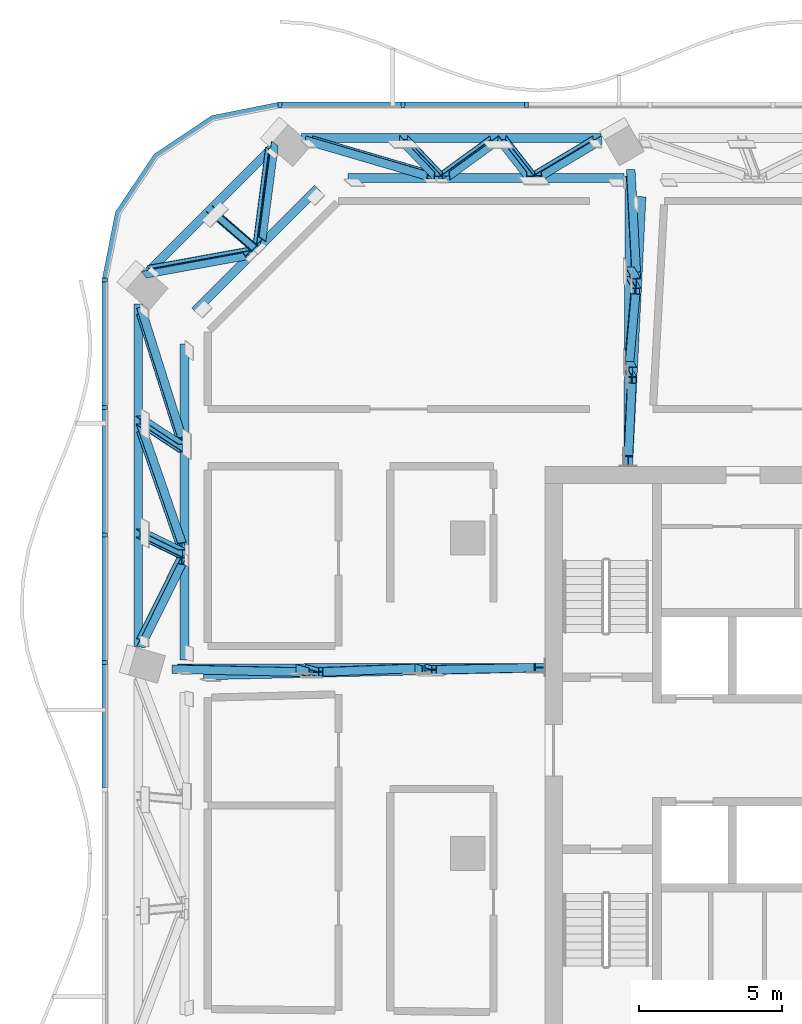
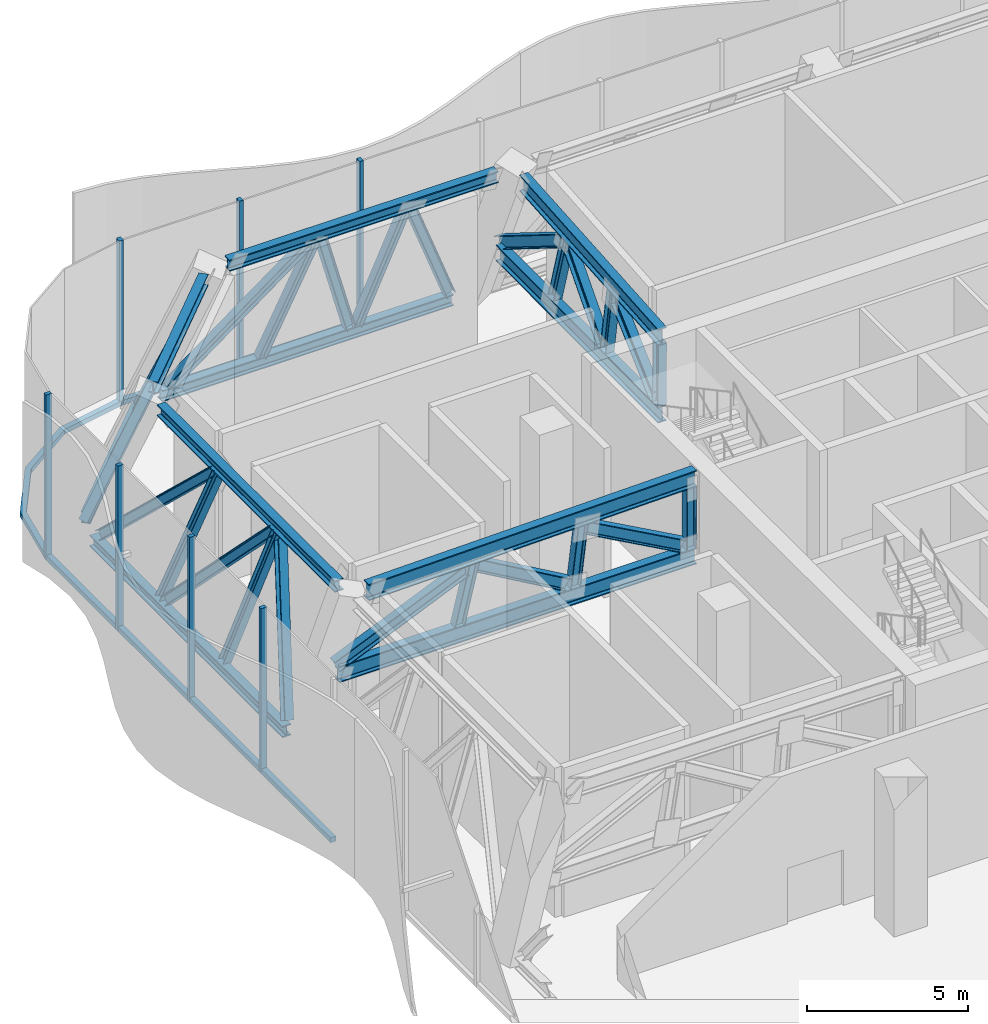
# One storey, part 6 of 29: 49 members, 3 elements without a shape of their own.
"""IFC4 building model written with IfcOpenShell, lengths in metres."""

from ifc_helpers import new_model, si_unit, direction, frame, origin, origin_2d, place, context, subcontext, project, spatial, polyline, rectangle, i_section, outline, extrude, material, material_profile, profile_set, type_object, element, aggregate, save


model = new_model("IFC4")

# Units and contexts
model_context = context("Model", 3, precision=1e-05, world=origin(), true_north=direction((0.0, 1.0)))
body_context = subcontext(model_context, "Body", "Model", "MODEL_VIEW")
ifc_project = project(units=[si_unit("LENGTHUNIT", "METRE"), si_unit("AREAUNIT", "SQUARE_METRE"), si_unit("VOLUMEUNIT", "CUBIC_METRE"), si_unit("PLANEANGLEUNIT", "RADIAN"), si_unit("MASSUNIT", "GRAM", prefix="KILO")], contexts=[model_context])

# Site, building, storey
site_placement = place(None, origin())
site = spatial("IfcSite", under=ifc_project, at=site_placement, CompositionType="ELEMENT")
building_placement = place(site_placement, origin())
building = spatial("IfcBuilding", under=site, at=building_placement, Name="Mopane Tessera Tower", CompositionType="ELEMENT")
storey_placement = place(building_placement, frame((0.0, 0.0, 315.39990234375)))
storey = spatial("IfcBuildingStorey", under=building, at=storey_placement, Name="L69", CompositionType="ELEMENT", Elevation=315.39990234375)

# Curtain wall, members
ifc_material_1 = material(Name="Aluminium frame", Category="aluminium")
curtain_wall_type = type_object("IfcCurtainWallType", Name="Plant floor unitised wall", PredefinedType="NOTDEFINED", material=ifc_material_1)
curtain_wall_1_placement = place(storey_placement, origin())
curtain_wall_1 = element("IfcCurtainWall", 1, at=curtain_wall_1_placement, inside=storey, type_object=curtain_wall_type, Name="e:cw:L69:N:0", PredefinedType="NOTDEFINED")
ifc_material_2 = material(Name="Aluminium frame", Category="aluminium")
ifc_material_profile_1 = material_profile(ifc_material_2, rectangle(XDim=0.139892578125, YDim=0.199951171875, at=origin_2d()))
ifc_profile_set_1 = profile_set([ifc_material_profile_1], Name="Aluminium frame")
member_type_1 = type_object("IfcMemberType", Name="Aluminium mullion 140 x 200", PredefinedType="MULLION", material=ifc_profile_set_1)
member_1_placement = place(storey_placement, frame((-15.050048828125, 26.10009765625, -0.599853515625), z_axis=(0.0, 0.0, 1.0), x_axis=(-1.0, 0.0, 0.0)))
member_1 = element("IfcMember", 2, at=member_1_placement, type_object=member_type_1, Name="e:cw:L69:N:0:mu9", PredefinedType="MULLION", context=body_context, shape_type="SweptSolid", body=[
    extrude(rectangle(XDim=0.139892578125, YDim=0.199951171875, at=origin_2d()), origin(), (0.0, 0.0, 1.0), 6.25),
])
member_2_placement = place(storey_placement, frame((-19.35009765625, 26.10009765625, -0.599853515625), z_axis=(0.0, 0.0, 1.0), x_axis=(-1.0, 0.0, 0.0)))
member_2 = element("IfcMember", 3, at=member_2_placement, type_object=member_type_1, Name="e:cw:L69:N:0:mu10", PredefinedType="MULLION", context=body_context, shape_type="SweptSolid", body=[
    extrude(rectangle(XDim=0.139892578125, YDim=0.199951171875, at=origin_2d()), origin(), (0.0, 0.0, 1.0), 6.25),
])
member_3_placement = place(storey_placement, frame((-23.64990234375, 26.10009765625, -0.599853515625), z_axis=(0.0, 0.0, 1.0), x_axis=(-1.0, 0.0, 0.0)))
member_3 = element("IfcMember", 4, at=member_3_placement, type_object=member_type_1, Name="e:cw:L69:N:0:mu11", PredefinedType="MULLION", context=body_context, shape_type="SweptSolid", body=[
    extrude(rectangle(XDim=0.139892578125, YDim=0.199951171875, at=origin_2d()), origin(), (0.0, 0.0, 1.0), 6.25),
])

curtain_wall_2_placement = place(storey_placement, origin())
curtain_wall_2 = element("IfcCurtainWall", 5, at=curtain_wall_2_placement, inside=storey, type_object=curtain_wall_type, Name="e:cw:L69:W:0", PredefinedType="NOTDEFINED")
member_4_placement = place(storey_placement, frame((-29.75, 20.0, -0.599853515625), z_axis=(0.0, 0.0, 1.0), x_axis=(0.0, -1.0, 0.0)))
member_4 = element("IfcMember", 6, at=member_4_placement, type_object=member_type_1, Name="e:cw:L69:W:0:mu0", PredefinedType="MULLION", context=body_context, shape_type="SweptSolid", body=[
    extrude(rectangle(XDim=0.139892578125, YDim=0.199951171875, at=origin_2d()), origin(), (0.0, 0.0, 1.0), 6.25),
])
member_5_placement = place(storey_placement, frame((-29.75, 15.5556640625, -0.599853515625), z_axis=(0.0, 0.0, 1.0), x_axis=(0.0, -1.0, 0.0)))
member_5 = element("IfcMember", 7, at=member_5_placement, type_object=member_type_1, Name="e:cw:L69:W:0:mu1", PredefinedType="MULLION", context=body_context, shape_type="SweptSolid", body=[
    extrude(rectangle(XDim=0.139892578125, YDim=0.199951171875, at=origin_2d()), origin(), (0.0, 0.0, 1.0), 6.25),
])
member_6_placement = place(storey_placement, frame((-29.75, 11.111083984375, -0.599853515625), z_axis=(0.0, 0.0, 1.0), x_axis=(0.0, -1.0, 0.0)))
member_6 = element("IfcMember", 8, at=member_6_placement, type_object=member_type_1, Name="e:cw:L69:W:0:mu2", PredefinedType="MULLION", context=body_context, shape_type="SweptSolid", body=[
    extrude(rectangle(XDim=0.139892578125, YDim=0.199951171875, at=origin_2d()), origin(), (0.0, 0.0, 1.0), 6.25),
])
member_7_placement = place(storey_placement, frame((-29.75, 6.666748046875, -0.599853515625), z_axis=(0.0, 0.0, 1.0), x_axis=(0.0, -1.0, 0.0)))
member_7 = element("IfcMember", 9, at=member_7_placement, type_object=member_type_1, Name="e:cw:L69:W:0:mu3", PredefinedType="MULLION", context=body_context, shape_type="SweptSolid", body=[
    extrude(rectangle(XDim=0.139892578125, YDim=0.199951171875, at=origin_2d()), origin(), (0.0, 0.0, 1.0), 6.25),
])

# Member
ifc_material_3 = material(Name="Aluminium frame", Category="aluminium")
ifc_material_profile_2 = material_profile(ifc_material_3, rectangle(XDim=0.199951171875, YDim=0.179931640625, at=origin_2d()))
ifc_profile_set_2 = profile_set([ifc_material_profile_2], Name="Aluminium frame")
member_type_2 = type_object("IfcMemberType", Name="Aluminium transom 200 x 180", PredefinedType="USERDEFINED", material=ifc_profile_set_2)
member_8_placement = place(storey_placement, frame((-15.1201171875, 26.10009765625, -0.510009765625), z_axis=(-1.0, 0.0, 0.0), x_axis=(0.0, -1.0, 0.0)))
member_8 = element("IfcMember", 10, at=member_8_placement, type_object=member_type_2, Name="e:cw:L69:N:0:tr9", ObjectType="TRANSOM", PredefinedType="USERDEFINED", context=body_context, shape_type="SweptSolid", body=[
    extrude(rectangle(XDim=0.199951171875, YDim=0.179931640625, at=origin_2d()), origin(), (0.0, 0.0, 1.0), 4.159912109375),
])

member_9_placement = place(storey_placement, frame((-19.419921875, 26.10009765625, -0.510009765625), z_axis=(-1.0, 0.0, 0.0), x_axis=(0.0, -1.0, 0.0)))
member_9 = element("IfcMember", 11, at=member_9_placement, type_object=member_type_2, Name="e:cw:L69:N:0:tr10", ObjectType="TRANSOM", PredefinedType="USERDEFINED", context=body_context, shape_type="SweptSolid", body=[
    extrude(rectangle(XDim=0.199951171875, YDim=0.179931640625, at=origin_2d()), origin(), (0.0, 0.0, 1.0), 4.16015625),
])

aggregate(curtain_wall_1, [member_1, member_2, member_3, member_8, member_9])

# Curtain wall, member
curtain_wall_3_placement = place(storey_placement, origin())
curtain_wall_3 = element("IfcCurtainWall", 12, at=curtain_wall_3_placement, inside=storey, type_object=curtain_wall_type, Name="e:cw:L69:CN", PredefinedType="NOTDEFINED")
member_10_placement = place(storey_placement, frame((0.0, 0.0, -0.599853515625)))
member_10 = element("IfcMember", 13, at=member_10_placement, type_object=member_type_2, Name="e:cw:L69:CN:tr", ObjectType="TRANSOM", PredefinedType="USERDEFINED", context=body_context, shape_type="SweptSolid", body=[
    extrude(outline(polyline([(-23.64990234375, 26.0), (-25.946044921875, 25.543212890625), (-27.892578125, 24.24267578125), (-29.193359375, 22.296142578125), (-29.64990234375, 20.0), (-29.85009765625, 20.0), (-29.378173828125, 22.37255859375), (-28.0341796875, 24.384033203125), (-26.022705078125, 25.72802734375), (-23.64990234375, 26.199951171875), (-23.64990234375, 26.0)])), origin(), (0.0, 0.0, 1.0), 0.179931640625),
])
aggregate(curtain_wall_3, [member_10])

# Member
member_11_placement = place(storey_placement, frame((-29.75, 19.929931640625, -0.510009765625), z_axis=(0.0, -1.0, 0.0), x_axis=(1.0, 0.0, 0.0)))
member_11 = element("IfcMember", 14, at=member_11_placement, type_object=member_type_2, Name="e:cw:L69:W:0:tr0", ObjectType="TRANSOM", PredefinedType="USERDEFINED", context=body_context, shape_type="SweptSolid", body=[
    extrude(rectangle(XDim=0.199951171875, YDim=0.179931640625, at=origin_2d()), origin(), (0.0, 0.0, 1.0), 4.304443359375),
])

member_12_placement = place(storey_placement, frame((-29.75, 15.485595703125, -0.510009765625), z_axis=(0.0, -1.0, 0.0), x_axis=(1.0, 0.0, 0.0)))
member_12 = element("IfcMember", 15, at=member_12_placement, type_object=member_type_2, Name="e:cw:L69:W:0:tr1", ObjectType="TRANSOM", PredefinedType="USERDEFINED", context=body_context, shape_type="SweptSolid", body=[
    extrude(rectangle(XDim=0.199951171875, YDim=0.179931640625, at=origin_2d()), origin(), (0.0, 0.0, 1.0), 4.304443359375),
])

member_13_placement = place(storey_placement, frame((-29.75, 11.041015625, -0.510009765625), z_axis=(0.0, -1.0, 0.0), x_axis=(1.0, 0.0, 0.0)))
member_13 = element("IfcMember", 16, at=member_13_placement, type_object=member_type_2, Name="e:cw:L69:W:0:tr2", ObjectType="TRANSOM", PredefinedType="USERDEFINED", context=body_context, shape_type="SweptSolid", body=[
    extrude(rectangle(XDim=0.199951171875, YDim=0.179931640625, at=origin_2d()), origin(), (0.0, 0.0, 1.0), 4.304443359375),
])

member_14_placement = place(storey_placement, frame((-29.75, 6.5966796875, -0.510009765625), z_axis=(0.0, -1.0, 0.0), x_axis=(1.0, 0.0, 0.0)))
member_14 = element("IfcMember", 17, at=member_14_placement, type_object=member_type_2, Name="e:cw:L69:W:0:tr3", ObjectType="TRANSOM", PredefinedType="USERDEFINED", context=body_context, shape_type="SweptSolid", body=[
    extrude(rectangle(XDim=0.199951171875, YDim=0.179931640625, at=origin_2d()), origin(), (0.0, 0.0, 1.0), 4.304443359375),
])

aggregate(curtain_wall_2, [member_4, member_5, member_6, member_7, member_11, member_12, member_13, member_14])

# Members
ifc_material_4 = material(Name="Structural steel S460", Category="steel")
ifc_material_profile_3 = material_profile(ifc_material_4, i_section(OverallWidth=0.306884765625, OverallDepth=0.431884765625, WebThickness=0.02099609375, FlangeThickness=0.0400390625, FilletRadius=0.027099609375, at=origin_2d()))
ifc_profile_set_3 = profile_set([ifc_material_profile_3], Name="Structural steel S460")
member_type_3 = type_object("IfcMemberType", Name="Belt truss chord HE 400 M", PredefinedType="CHORD", material=ifc_profile_set_3)
member_15_placement = place(storey_placement, frame((-12.457275390625, 24.9423828125, 0.216064453125), z_axis=(-1.0, 0.0, 0.0), x_axis=(0.0, -1.0, 0.0)))
element("IfcMember", 18, at=member_15_placement, inside=storey, type_object=member_type_3, Name="Belt truss bottom chord L69 N3-N4", PredefinedType="CHORD", context=body_context, shape_type="SweptSolid", body=[
    extrude(i_section(OverallWidth=0.306884765625, OverallDepth=0.431884765625, WebThickness=0.02099609375, FlangeThickness=0.0400390625, FilletRadius=0.027099609375, at=origin_2d()), origin(), (0.0, 0.0, 1.0), 10.42919921875),
])
member_16_placement = place(storey_placement, frame((-11.65283203125, 23.55078125, 5.43408203125), z_axis=(-1.0, 0.0, 0.0), x_axis=(0.0, -1.0, 0.0)))
element("IfcMember", 19, at=member_16_placement, inside=storey, type_object=member_type_3, Name="Belt truss top chord L69 N3-N4", PredefinedType="CHORD", context=body_context, shape_type="SweptSolid", body=[
    extrude(i_section(OverallWidth=0.306884765625, OverallDepth=0.431884765625, WebThickness=0.02099609375, FlangeThickness=0.0400390625, FilletRadius=0.027099609375, at=origin_2d()), origin(), (0.0, 0.0, 1.0), 9.624755859375),
])
member_17_placement = place(storey_placement, frame((-23.9453125, 24.580322265625, 0.216064453125), z_axis=(-0.707126967223, -0.707086594573, 0.0), x_axis=(0.707086594573, -0.707126967223, 0.0)))
element("IfcMember", 20, at=member_17_placement, inside=storey, type_object=member_type_3, Name="Belt truss bottom chord L69 N4-W0", PredefinedType="CHORD", context=body_context, shape_type="SweptSolid", body=[
    extrude(i_section(OverallWidth=0.306884765625, OverallDepth=0.431884765625, WebThickness=0.02099609375, FlangeThickness=0.0400390625, FilletRadius=0.027099609375, at=origin_2d()), origin(), (0.0, 0.0, 1.0), 6.047119140625),
])
member_18_placement = place(storey_placement, frame((-22.33642578125, 23.18896484375, 5.43408203125), z_axis=(-0.707106781187, -0.707106781187, 0.0), x_axis=(0.707106781187, -0.707106781187, 0.0)))
element("IfcMember", 21, at=member_18_placement, inside=storey, type_object=member_type_3, Name="Belt truss top chord L69 N4-W0", PredefinedType="CHORD", context=body_context, shape_type="SweptSolid", body=[
    extrude(i_section(OverallWidth=0.306884765625, OverallDepth=0.431884765625, WebThickness=0.02099609375, FlangeThickness=0.0400390625, FilletRadius=0.027099609375, at=origin_2d()), origin(), (0.0, 0.0, 1.0), 6.04736328125),
])
member_19_placement = place(storey_placement, frame((-28.583251953125, 19.16064453125, 0.216064453125), z_axis=(0.0, -1.0, 0.0), x_axis=(1.0, 0.0, 0.0)))
element("IfcMember", 22, at=member_19_placement, inside=storey, type_object=member_type_3, Name="Belt truss bottom chord L69 W0-W1", PredefinedType="CHORD", context=body_context, shape_type="SweptSolid", body=[
    extrude(i_section(OverallWidth=0.306884765625, OverallDepth=0.431884765625, WebThickness=0.02099609375, FlangeThickness=0.0400390625, FilletRadius=0.027099609375, at=origin_2d()), origin(), (0.0, 0.0, 1.0), 11.948974609375),
])
member_20_placement = place(storey_placement, frame((-26.974609375, 17.769287109375, 5.43408203125), z_axis=(0.0, -1.0, 0.0), x_axis=(1.0, 0.0, 0.0)))
element("IfcMember", 23, at=member_20_placement, inside=storey, type_object=member_type_3, Name="Belt truss top chord L69 W0-W1", PredefinedType="CHORD", context=body_context, shape_type="SweptSolid", body=[
    extrude(i_section(OverallWidth=0.306884765625, OverallDepth=0.431884765625, WebThickness=0.02099609375, FlangeThickness=0.0400390625, FilletRadius=0.027099609375, at=origin_2d()), origin(), (0.0, 0.0, 1.0), 11.021484375),
])
ifc_material_5 = material(Name="Structural steel S460", Category="steel")
ifc_material_profile_4 = material_profile(ifc_material_5, i_section(OverallWidth=0.300048828125, OverallDepth=0.340087890625, WebThickness=0.011962890625, FlangeThickness=0.021484375, FilletRadius=0.027099609375, at=origin_2d()))
ifc_profile_set_4 = profile_set([ifc_material_profile_4], Name="Structural steel S460")
member_type_4 = type_object("IfcMemberType", Name="Belt truss diagonal HE 340 B", PredefinedType="BRACE", material=ifc_profile_set_4)
member_21_placement = place(storey_placement, frame((-12.5810546875, 24.869140625, 0.4912109375), z_axis=(-0.396181712859, -0.23660465611, 0.887163055533), x_axis=(0.096501171402, -0.971606008673, -0.216030756671)))
element("IfcMember", 24, at=member_21_placement, inside=storey, type_object=member_type_4, Name="Belt truss diagonal 0 L69 N3-N4", PredefinedType="BRACE", context=body_context, shape_type="SweptSolid", body=[
    extrude(i_section(OverallWidth=0.300048828125, OverallDepth=0.340087890625, WebThickness=0.011962890625, FlangeThickness=0.021484375, FilletRadius=0.027099609375, at=origin_2d()), origin(), (0.0, 0.0, 1.0), 5.261474609375),
])
member_22_placement = place(storey_placement, frame((-16.165283203125, 24.8701171875, 0.487060546875), z_axis=(-0.334377391502, -0.242855071206, 0.910611428899), x_axis=(0.083778817676, -0.970062580212, -0.227946704694)))
element("IfcMember", 25, at=member_22_placement, inside=storey, type_object=member_type_4, Name="Belt truss diagonal 1 L69 N3-N4", PredefinedType="BRACE", context=body_context, shape_type="SweptSolid", body=[
    extrude(i_section(OverallWidth=0.300048828125, OverallDepth=0.340087890625, WebThickness=0.011962890625, FlangeThickness=0.021484375, FilletRadius=0.027099609375, at=origin_2d()), origin(), (0.0, 0.0, 1.0), 5.135009765625),
])
member_23_placement = place(storey_placement, frame((-18.39208984375, 23.624267578125, 5.158935546875), z_axis=(-0.659754288309, 0.193649960631, -0.726101901806), x_axis=(-0.130233888732, -0.981070686878, -0.143315880399)))
element("IfcMember", 26, at=member_23_placement, inside=storey, type_object=member_type_4, Name="Belt truss diagonal 2 L69 N3-N4", PredefinedType="BRACE", context=body_context, shape_type="SweptSolid", body=[
    extrude(i_section(OverallWidth=0.300048828125, OverallDepth=0.340087890625, WebThickness=0.011962890625, FlangeThickness=0.021484375, FilletRadius=0.027099609375, at=origin_2d()), origin(), (0.0, 0.0, 1.0), 6.428466796875),
])
member_24_placement = place(storey_placement, frame((-23.926025390625, 24.644775390625, 0.137939453125), z_axis=(-0.071488391257, -0.549988329124, 0.832107113143), x_axis=(0.777153482013, -0.553649962132, -0.299172500117)))
element("IfcMember", 27, at=member_24_placement, inside=storey, type_object=member_type_4, Name="Belt truss diagonal 0 L69 N4-W0", PredefinedType="BRACE", context=body_context, shape_type="SweptSolid", body=[
    extrude(i_section(OverallWidth=0.300048828125, OverallDepth=0.340087890625, WebThickness=0.011962890625, FlangeThickness=0.021484375, FilletRadius=0.027099609375, at=origin_2d()), origin(), (0.0, 0.0, 1.0), 6.048095703125),
])
member_25_placement = place(storey_placement, frame((-24.7529296875, 20.923828125, 5.170654296875), z_axis=(-0.571771583517, -0.103829266357, -0.813816158435), x_axis=(0.548844879528, -0.785707474973, -0.285364787573)))
element("IfcMember", 28, at=member_25_placement, inside=storey, type_object=member_type_4, Name="Belt truss diagonal 1 L69 N4-W0", PredefinedType="BRACE", context=body_context, shape_type="SweptSolid", body=[
    extrude(i_section(OverallWidth=0.300048828125, OverallDepth=0.340087890625, WebThickness=0.011962890625, FlangeThickness=0.021484375, FilletRadius=0.027099609375, at=origin_2d()), origin(), (0.0, 0.0, 1.0), 6.18408203125),
])
member_26_placement = place(storey_placement, frame((-28.49462890625, 18.9189453125, 0.503662109375), z_axis=(0.215656055351, -0.68132306213, 0.699493638856), x_axis=(0.976469388038, 0.150469293211, -0.154487947832)))
element("IfcMember", 29, at=member_26_placement, inside=storey, type_object=member_type_4, Name="Belt truss diagonal 0 L69 W0-W1", PredefinedType="BRACE", context=body_context, shape_type="SweptSolid", body=[
    extrude(i_section(OverallWidth=0.300048828125, OverallDepth=0.340087890625, WebThickness=0.011962890625, FlangeThickness=0.021484375, FilletRadius=0.027099609375, at=origin_2d()), origin(), (0.0, 0.0, 1.0), 6.637451171875),
])
member_27_placement = place(storey_placement, frame((-28.49560546875, 14.8330078125, 0.500244140625), z_axis=(0.224748746234, -0.646492390803, 0.729064873451), x_axis=(0.974416748353, 0.149082476337, -0.168185658661)))
element("IfcMember", 30, at=member_27_placement, inside=storey, type_object=member_type_4, Name="Belt truss diagonal 1 L69 W0-W1", PredefinedType="BRACE", context=body_context, shape_type="SweptSolid", body=[
    extrude(i_section(OverallWidth=0.300048828125, OverallDepth=0.340087890625, WebThickness=0.011962890625, FlangeThickness=0.021484375, FilletRadius=0.027099609375, at=origin_2d()), origin(), (0.0, 0.0, 1.0), 6.377685546875),
])
member_28_placement = place(storey_placement, frame((-27.063232421875, 10.2216796875, 5.146484375), z_axis=(-0.253306018781, -0.510673229061, -0.821613603812), x_axis=(0.967386200464, -0.133718232126, -0.215135709607)))
element("IfcMember", 31, at=member_28_placement, inside=storey, type_object=member_type_4, Name="Belt truss diagonal 2 L69 W0-W1", PredefinedType="BRACE", context=body_context, shape_type="SweptSolid", body=[
    extrude(i_section(OverallWidth=0.300048828125, OverallDepth=0.340087890625, WebThickness=0.011962890625, FlangeThickness=0.021484375, FilletRadius=0.027099609375, at=origin_2d()), origin(), (0.0, 0.0, 1.0), 5.65087890625),
])
ifc_material_6 = material(Name="Structural steel S460", Category="steel")
ifc_material_profile_5 = material_profile(ifc_material_6, i_section(OverallWidth=0.300048828125, OverallDepth=0.300048828125, WebThickness=0.010986328125, FlangeThickness=0.01904296875, FilletRadius=0.027099609375, at=origin_2d()))
ifc_profile_set_5 = profile_set([ifc_material_profile_5], Name="Structural steel S460")
member_type_5 = type_object("IfcMemberType", Name="Belt truss post HE 300 B", PredefinedType="POST", material=ifc_profile_set_5)
member_29_placement = place(storey_placement, frame((-15.904052734375, 24.884765625, 0.43212890625), z_axis=(0.197480367847, -0.252612518498, 0.947200306067), x_axis=(-0.051652251698, -0.967567520565, -0.247275429517)))
element("IfcMember", 32, at=member_29_placement, inside=storey, type_object=member_type_5, Name="Belt truss post 1 L69 N3-N4", PredefinedType="POST", context=body_context, shape_type="SweptSolid", body=[
    extrude(i_section(OverallWidth=0.300048828125, OverallDepth=0.300048828125, WebThickness=0.010986328125, FlangeThickness=0.01904296875, FilletRadius=0.027099609375, at=origin_2d()), origin(), (0.0, 0.0, 1.0), 5.052734375),
])
member_30_placement = place(storey_placement, frame((-19.337646484375, 24.884765625, 0.43212890625), z_axis=(0.237935125406, -0.250286687248, 0.93847932864), x_axis=(-0.061516271204, -0.968171768925, -0.24260909759)))
element("IfcMember", 33, at=member_30_placement, inside=storey, type_object=member_type_5, Name="Belt truss post 2 L69 N3-N4", PredefinedType="POST", context=body_context, shape_type="SweptSolid", body=[
    extrude(i_section(OverallWidth=0.300048828125, OverallDepth=0.300048828125, WebThickness=0.010986328125, FlangeThickness=0.01904296875, FilletRadius=0.027099609375, at=origin_2d()), origin(), (0.0, 0.0, 1.0), 5.099609375),
])
member_31_placement = place(storey_placement, frame((-26.0166015625, 22.384765625, 0.43212890625), z_axis=(0.285464313848, -0.246964658745, 0.926022992614), x_axis=(0.647192790355, -0.662967266619, -0.376318874764)))
element("IfcMember", 34, at=member_31_placement, inside=storey, type_object=member_type_5, Name="Belt truss post 1 L69 N4-W0", PredefinedType="POST", context=body_context, shape_type="SweptSolid", body=[
    extrude(i_section(OverallWidth=0.300048828125, OverallDepth=0.300048828125, WebThickness=0.010986328125, FlangeThickness=0.01904296875, FilletRadius=0.027099609375, at=origin_2d()), origin(), (0.0, 0.0, 1.0), 5.168212890625),
])
member_32_placement = place(storey_placement, frame((-28.5166015625, 15.10888671875, 0.43212890625), z_axis=(0.289217477998, -0.19009959004, 0.938197951547), x_axis=(0.95726341728, 0.057415308249, -0.283461165447)))
element("IfcMember", 35, at=member_32_placement, inside=storey, type_object=member_type_5, Name="Belt truss post 1 L69 W0-W1", PredefinedType="POST", context=body_context, shape_type="SweptSolid", body=[
    extrude(i_section(OverallWidth=0.300048828125, OverallDepth=0.300048828125, WebThickness=0.010986328125, FlangeThickness=0.01904296875, FilletRadius=0.027099609375, at=origin_2d()), origin(), (0.0, 0.0, 1.0), 5.10107421875),
])
member_33_placement = place(storey_placement, frame((-28.5166015625, 11.1708984375, 0.43212890625), z_axis=(0.291615590577, -0.14173009921, 0.945977233505), x_axis=(0.956535595718, 0.043169287221, -0.288402612271)))
element("IfcMember", 36, at=member_33_placement, inside=storey, type_object=member_type_5, Name="Belt truss post 2 L69 W0-W1", PredefinedType="POST", context=body_context, shape_type="SweptSolid", body=[
    extrude(i_section(OverallWidth=0.300048828125, OverallDepth=0.300048828125, WebThickness=0.010986328125, FlangeThickness=0.01904296875, FilletRadius=0.027099609375, at=origin_2d()), origin(), (0.0, 0.0, 1.0), 5.05908203125),
])
ifc_material_7 = material(Name="Structural steel S460", Category="steel")
ifc_material_profile_6 = material_profile(ifc_material_7, i_section(OverallWidth=0.304931640625, OverallDepth=0.6201171875, WebThickness=0.02099609375, FlangeThickness=0.0400390625, FilletRadius=0.027099609375, at=origin_2d()))
ifc_profile_set_6 = profile_set([ifc_material_profile_6], Name="Structural steel S460")
member_type_6 = type_object("IfcMemberType", Name="Outrigger truss chord HE 600 M", PredefinedType="CHORD", material=ifc_profile_set_6)
member_34_placement = place(storey_placement, frame((-14.414794921875, 6.47998046875, 2.41015625), z_axis=(-0.999997916746, -0.002041201394, 0.0), x_axis=(0.002041201394, -0.999997916746, 0.0)))
element("IfcMember", 37, at=member_34_placement, inside=storey, type_object=member_type_6, Name="Outrigger truss bottom chord L69 W1", PredefinedType="CHORD", context=body_context, shape_type="SweptSolid", body=[
    extrude(i_section(OverallWidth=0.304931640625, OverallDepth=0.6201171875, WebThickness=0.02099609375, FlangeThickness=0.0400390625, FilletRadius=0.027099609375, at=origin_2d()), origin(), (0.0, 0.0, 1.0), 12.7978515625),
])
member_35_placement = place(storey_placement, frame((-14.414794921875, 6.479736328125, 5.340087890625), z_axis=(-0.999738976963, -0.022846836568, 0.0), x_axis=(0.022846836568, -0.999738976963, 0.0)))
element("IfcMember", 38, at=member_35_placement, inside=storey, type_object=member_type_6, Name="Outrigger truss top chord L69 W1", PredefinedType="CHORD", context=body_context, shape_type="SweptSolid", body=[
    extrude(i_section(OverallWidth=0.304931640625, OverallDepth=0.6201171875, WebThickness=0.02099609375, FlangeThickness=0.0400390625, FilletRadius=0.027099609375, at=origin_2d()), origin(), (0.0, 0.0, 1.0), 11.8935546875),
])
member_36_placement = place(storey_placement, frame((-11.501220703125, 13.51513671875, 2.41015625), z_axis=(0.004417899042, 0.999990241036, 0.0), x_axis=(-0.999990241036, 0.004417899042, 0.0)))
element("IfcMember", 39, at=member_36_placement, inside=storey, type_object=member_type_6, Name="Outrigger truss bottom chord L69 N3", PredefinedType="CHORD", context=body_context, shape_type="SweptSolid", body=[
    extrude(i_section(OverallWidth=0.304931640625, OverallDepth=0.6201171875, WebThickness=0.02099609375, FlangeThickness=0.0400390625, FilletRadius=0.027099609375, at=origin_2d()), origin(), (0.0, 0.0, 1.0), 10.11279296875),
])
member_37_placement = place(storey_placement, frame((-11.50048828125, 13.51513671875, 5.340087890625), z_axis=(0.04952678276, 0.99877279588, 0.0), x_axis=(-0.99877279588, 0.04952678276, 0.0)))
element("IfcMember", 40, at=member_37_placement, inside=storey, type_object=member_type_6, Name="Outrigger truss top chord L69 N3", PredefinedType="CHORD", context=body_context, shape_type="SweptSolid", body=[
    extrude(i_section(OverallWidth=0.304931640625, OverallDepth=0.6201171875, WebThickness=0.02099609375, FlangeThickness=0.0400390625, FilletRadius=0.027099609375, at=origin_2d()), origin(), (0.0, 0.0, 1.0), 9.3955078125),
])
ifc_material_8 = material(Name="Structural steel S460", Category="steel")
ifc_material_profile_7 = material_profile(ifc_material_8, i_section(OverallWidth=0.300048828125, OverallDepth=0.449951171875, WebThickness=0.013916015625, FlangeThickness=0.02587890625, FilletRadius=0.027099609375, at=origin_2d()))
ifc_profile_set_7 = profile_set([ifc_material_profile_7], Name="Structural steel S460")
member_type_7 = type_object("IfcMemberType", Name="Outrigger truss diagonal HE 450 B", PredefinedType="BRACE", material=ifc_profile_set_7)
member_38_placement = place(storey_placement, frame((-14.840576171875, 6.477783203125, 2.89990234375), z_axis=(-0.87115482148, -0.018241185983, 0.490669477496), x_axis=(0.016385870183, -0.999833112573, -0.008077763394)))
element("IfcMember", 41, at=member_38_placement, inside=storey, type_object=member_type_7, Name="Outrigger truss diagonal 0 L69 W1", PredefinedType="BRACE", context=body_context, shape_type="SweptSolid", body=[
    extrude(i_section(OverallWidth=0.300048828125, OverallDepth=0.449951171875, WebThickness=0.013916015625, FlangeThickness=0.02587890625, FilletRadius=0.027099609375, at=origin_2d()), origin(), (0.0, 0.0, 1.0), 3.97509765625),
])
member_39_placement = place(storey_placement, frame((-18.9814453125, 6.45556640625, 2.89990234375), z_axis=(-0.858780216569, -0.033086621355, 0.511274696339), x_axis=(0.02896148296, -0.999451947802, -0.016032359141)))
element("IfcMember", 42, at=member_39_placement, inside=storey, type_object=member_type_7, Name="Outrigger truss diagonal 1 L69 W1", PredefinedType="BRACE", context=body_context, shape_type="SweptSolid", body=[
    extrude(i_section(OverallWidth=0.300048828125, OverallDepth=0.449951171875, WebThickness=0.013916015625, FlangeThickness=0.02587890625, FilletRadius=0.027099609375, at=origin_2d()), origin(), (0.0, 0.0, 1.0), 3.81494140625),
])
member_40_placement = place(storey_placement, frame((-22.7255859375, 6.320556640625, 4.847412109375), z_axis=(-0.90873619253, 0.020666294962, -0.416859012903), x_axis=(-0.018429745366, -0.999786068017, -0.009389498671)))
element("IfcMember", 43, at=member_40_placement, inside=storey, type_object=member_type_7, Name="Outrigger truss diagonal 2 L69 W1", PredefinedType="BRACE", context=body_context, shape_type="SweptSolid", body=[
    extrude(i_section(OverallWidth=0.300048828125, OverallDepth=0.449951171875, WebThickness=0.013916015625, FlangeThickness=0.02587890625, FilletRadius=0.027099609375, at=origin_2d()), origin(), (0.0, 0.0, 1.0), 5.04443359375),
])
member_41_placement = place(storey_placement, frame((-11.495849609375, 13.970458984375, 2.87841796875), z_axis=(0.037430039628, 0.78866145746, 0.613687296308), x_axis=(-0.999295714762, 0.031173882867, 0.020886921376)))
element("IfcMember", 44, at=member_41_placement, inside=storey, type_object=member_type_7, Name="Outrigger truss diagonal 0 L69 N3", PredefinedType="BRACE", context=body_context, shape_type="SweptSolid", body=[
    extrude(i_section(OverallWidth=0.300048828125, OverallDepth=0.449951171875, WebThickness=0.013916015625, FlangeThickness=0.02587890625, FilletRadius=0.027099609375, at=origin_2d()), origin(), (0.0, 0.0, 1.0), 3.248291015625),
])
member_42_placement = place(storey_placement, frame((-11.459228515625, 17.242919921875, 2.87841796875), z_axis=(0.068861211155, 0.767388712521, 0.637473683766), x_axis=(-0.997622398362, 0.054744331684, 0.041864166471)))
element("IfcMember", 45, at=member_42_placement, inside=storey, type_object=member_type_7, Name="Outrigger truss diagonal 1 L69 N3", PredefinedType="BRACE", context=body_context, shape_type="SweptSolid", body=[
    extrude(i_section(OverallWidth=0.300048828125, OverallDepth=0.449951171875, WebThickness=0.013916015625, FlangeThickness=0.02587890625, FilletRadius=0.027099609375, at=origin_2d()), origin(), (0.0, 0.0, 1.0), 3.126953125),
])
member_43_placement = place(storey_placement, frame((-11.22265625, 20.162109375, 4.8662109375), z_axis=(-0.045579085583, 0.854257246328, -0.517848533891), x_axis=(-0.99895815792, -0.037799532718, 0.025569396792)))
element("IfcMember", 46, at=member_43_placement, inside=storey, type_object=member_type_7, Name="Outrigger truss diagonal 2 L69 N3", PredefinedType="BRACE", context=body_context, shape_type="SweptSolid", body=[
    extrude(i_section(OverallWidth=0.300048828125, OverallDepth=0.449951171875, WebThickness=0.013916015625, FlangeThickness=0.02587890625, FilletRadius=0.027099609375, at=origin_2d()), origin(), (0.0, 0.0, 1.0), 4.177978515625),
])
ifc_material_9 = material(Name="Structural steel S460", Category="steel")
ifc_material_profile_8 = material_profile(ifc_material_9, i_section(OverallWidth=0.300048828125, OverallDepth=0.360107421875, WebThickness=0.012451171875, FlangeThickness=0.0224609375, FilletRadius=0.027099609375, at=origin_2d()))
ifc_profile_set_8 = profile_set([ifc_material_profile_8], Name="Structural steel S460")
member_type_8 = type_object("IfcMemberType", Name="Outrigger truss post HE 360 B", PredefinedType="POST", material=ifc_profile_set_8)
member_44_placement = place(storey_placement, frame((-14.594482421875, 6.479248046875, 2.72021484375), z_axis=(0.004439229719, -0.001268351348, 0.999989342205), x_axis=(0.004490773955, -0.999989086574, -0.001288286814)))
element("IfcMember", 47, at=member_44_placement, inside=storey, type_object=member_type_8, Name="Outrigger truss post 0 L69 W1", PredefinedType="POST", context=body_context, shape_type="SweptSolid", body=[
    extrude(i_section(OverallWidth=0.300048828125, OverallDepth=0.360107421875, WebThickness=0.012451171875, FlangeThickness=0.0224609375, FilletRadius=0.027099609375, at=origin_2d()), origin(), (0.0, 0.0, 1.0), 2.309814453125),
])
member_45_placement = place(storey_placement, frame((-18.75244140625, 6.462158203125, 2.72021484375), z_axis=(0.099556408627, -0.02869999953, 0.994617932439), x_axis=(-0.000750394843, -0.999585826904, -0.028768238752)))
element("IfcMember", 48, at=member_45_placement, inside=storey, type_object=member_type_8, Name="Outrigger truss post 1 L69 W1", PredefinedType="POST", context=body_context, shape_type="SweptSolid", body=[
    extrude(i_section(OverallWidth=0.300048828125, OverallDepth=0.360107421875, WebThickness=0.012451171875, FlangeThickness=0.0224609375, FilletRadius=0.027099609375, at=origin_2d()), origin(), (0.0, 0.0, 1.0), 2.322265625),
])
member_46_placement = place(storey_placement, frame((-22.91015625, 6.445068359375, 2.72021484375), z_axis=(0.191711204082, -0.05530728416, 0.979891789204), x_axis=(-0.008757230485, -0.99846758358, -0.054642432724)))
element("IfcMember", 49, at=member_46_placement, inside=storey, type_object=member_type_8, Name="Outrigger truss post 2 L69 W1", PredefinedType="POST", context=body_context, shape_type="SweptSolid", body=[
    extrude(i_section(OverallWidth=0.300048828125, OverallDepth=0.360107421875, WebThickness=0.012451171875, FlangeThickness=0.0224609375, FilletRadius=0.027099609375, at=origin_2d()), origin(), (0.0, 0.0, 1.0), 2.357177734375),
])
member_47_placement = place(storey_placement, frame((-11.49951171875, 13.69482421875, 2.72021484375), z_axis=(0.002853775597, -0.004861988055, 0.999984108392), x_axis=(-0.999993518377, -0.002209118493, 0.002843061573)))
element("IfcMember", 50, at=member_47_placement, inside=storey, type_object=member_type_8, Name="Outrigger truss post 0 L69 N3", PredefinedType="POST", context=body_context, shape_type="SweptSolid", body=[
    extrude(i_section(OverallWidth=0.300048828125, OverallDepth=0.360107421875, WebThickness=0.012451171875, FlangeThickness=0.0224609375, FilletRadius=0.027099609375, at=origin_2d()), origin(), (0.0, 0.0, 1.0), 2.309814453125),
])
member_48_placement = place(storey_placement, frame((-11.47021484375, 16.980224609375, 2.72021484375), z_axis=(0.049538732477, -0.085719887407, 0.995086938356), x_axis=(-0.998761886418, 0.000276806951, 0.049745528609)))
element("IfcMember", 51, at=member_48_placement, inside=storey, type_object=member_type_8, Name="Outrigger truss post 1 L69 N3", PredefinedType="POST", context=body_context, shape_type="SweptSolid", body=[
    extrude(i_section(OverallWidth=0.300048828125, OverallDepth=0.360107421875, WebThickness=0.012451171875, FlangeThickness=0.0224609375, FilletRadius=0.027099609375, at=origin_2d()), origin(), (0.0, 0.0, 1.0), 2.3212890625),
])
member_49_placement = place(storey_placement, frame((-11.441162109375, 20.265625, 2.72021484375), z_axis=(0.095055427677, -0.164479097018, 0.98178973936), x_axis=(-0.99546182365, -0.01125018683, 0.0944943964)))
element("IfcMember", 52, at=member_49_placement, inside=storey, type_object=member_type_8, Name="Outrigger truss post 2 L69 N3", PredefinedType="POST", context=body_context, shape_type="SweptSolid", body=[
    extrude(i_section(OverallWidth=0.300048828125, OverallDepth=0.360107421875, WebThickness=0.012451171875, FlangeThickness=0.0224609375, FilletRadius=0.027099609375, at=origin_2d()), origin(), (0.0, 0.0, 1.0), 2.3525390625),
])

save(model, "model.ifc")
